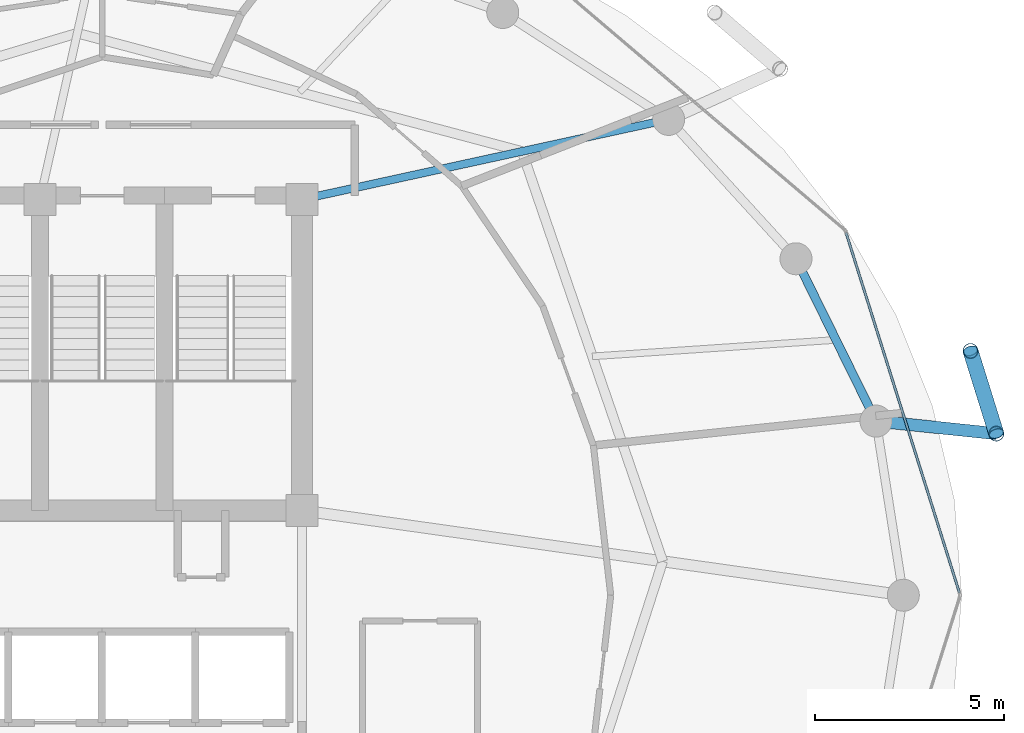
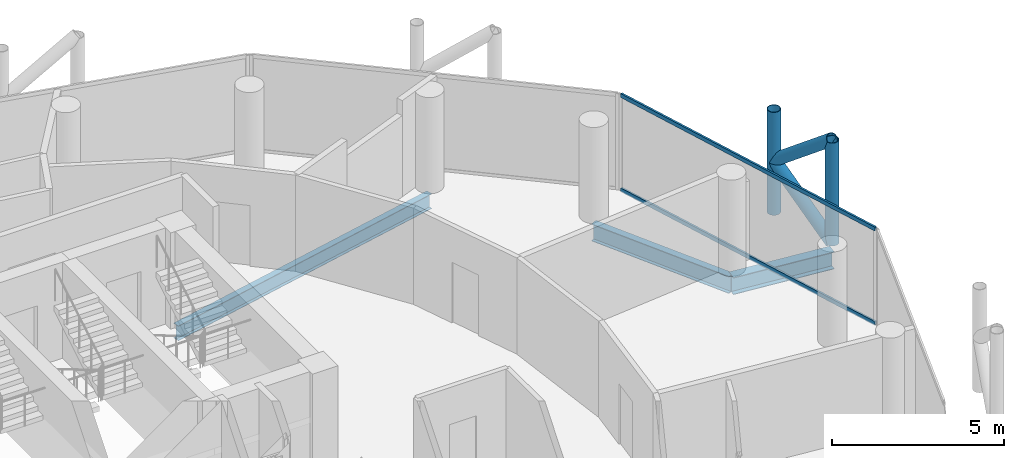
# One storey, part 16 of 27: 6 members, 3 beams, 1 element without a shape of its own.
"""IFC4 building model written with IfcOpenShell, lengths in metres."""

from ifc_helpers import new_model, si_unit, direction, frame, origin, origin_2d, place, context, subcontext, project, spatial, hollow_rectangle, hollow_circle, i_section, extrude, material, layer, layer_set, material_profile, profile_set, type_object, element, aggregate, save


model = new_model("IFC4")

# Units and contexts
model_context = context("Model", 3, precision=1e-05, world=origin(), true_north=direction((0.0, 1.0)))
body_context = subcontext(model_context, "Body", "Model", "MODEL_VIEW")
ifc_project = project(units=[si_unit("LENGTHUNIT", "METRE"), si_unit("AREAUNIT", "SQUARE_METRE"), si_unit("VOLUMEUNIT", "CUBIC_METRE"), si_unit("PLANEANGLEUNIT", "RADIAN"), si_unit("MASSUNIT", "GRAM", prefix="KILO")], contexts=[model_context])

# Site, building, storey
site_placement = place(None, origin())
site = spatial("IfcSite", under=ifc_project, at=site_placement, CompositionType="ELEMENT")
building_placement = place(site_placement, origin())
building = spatial("IfcBuilding", under=site, at=building_placement, Name="Nuhasar Tower", CompositionType="ELEMENT")
storey_placement = place(building_placement, frame((0.0, 0.0, 244.64990234375)))
storey = spatial("IfcBuildingStorey", under=building, at=storey_placement, Name="L60", CompositionType="ELEMENT", Elevation=244.64990234375)

# Beams
ifc_material_1 = material(Name="Steel S355", Category="steel")
ifc_material_profile_1 = material_profile(ifc_material_1, i_section(OverallWidth=0.208984375, OverallDepth=0.528076171875, WebThickness=0.009521484375, FlangeThickness=0.01318359375, at=origin_2d()), Name="W21X55")
ifc_profile_set_1 = profile_set([ifc_material_profile_1], Name="Steel S355")
beam_type_1 = type_object("IfcBeamType", Name="BM-RAD-W21X55", PredefinedType="BEAM", material=ifc_profile_set_1)
beam_1_placement = place(storey_placement, frame((44.300048828125, 37.300048828125, -0.50390625), z_axis=(0.977014275474, 0.213173885644, 0.0), x_axis=(-0.213173885644, 0.977014275474, 0.0)))
element("IfcBeam", 1, at=beam_1_placement, inside=storey, type_object=beam_type_1, Name="L60 Radial Floor Girder 05", PredefinedType="BEAM", context=body_context, shape_type="SweptSolid", body=[
    extrude(i_section(OverallWidth=0.208984375, OverallDepth=0.528076171875, WebThickness=0.009521484375, FlangeThickness=0.01318359375, at=origin_2d()), origin(), (0.0, 0.0, 1.0), 9.95458984375),
])
ifc_material_profile_2 = material_profile(ifc_material_1, i_section(OverallWidth=0.22802734375, OverallDepth=0.60791015625, WebThickness=0.01123046875, FlangeThickness=0.017333984375, at=origin_2d()), Name="W24X76")
ifc_profile_set_2 = profile_set([ifc_material_profile_2], Name="Steel S355")
beam_type_2 = type_object("IfcBeamType", Name="BM-RING-W24X76", PredefinedType="SPANDREL", material=ifc_profile_set_2)
beam_2_placement = place(storey_placement, frame((59.52587890625, 31.419921875, -0.5439453125), z_axis=(-0.442242604409, 0.896895467067, 0.0), x_axis=(-0.896895467067, -0.442242604409, 0.0)))
element("IfcBeam", 2, at=beam_2_placement, inside=storey, type_object=beam_type_2, Name="L60 Perimeter Ring Spandrel 02", PredefinedType="SPANDREL", context=body_context, shape_type="SweptSolid", body=[
    extrude(i_section(OverallWidth=0.22802734375, OverallDepth=0.60791015625, WebThickness=0.01123046875, FlangeThickness=0.017333984375, at=origin_2d()), origin(), (0.0, 0.0, 1.0), 4.800048828125),
])
ifc_material_profile_3 = material_profile(ifc_material_1, i_section(OverallWidth=0.323974609375, OverallDepth=0.611083984375, WebThickness=0.0126953125, FlangeThickness=0.01904296875, at=origin_2d()), Name="W24X104")
ifc_profile_set_3 = profile_set([ifc_material_profile_3], Name="Steel S355")
beam_type_3 = type_object("IfcBeamType", Name="BM-TIE-W24X104", PredefinedType="BEAM", material=ifc_profile_set_3)
beam_3_placement = place(storey_placement, frame((59.52587890625, 31.419921875, -0.544921875), z_axis=(0.994571111079, -0.10405914187, 0.0), x_axis=(0.10405914187, 0.994571111079, 0.0)))
element("IfcBeam", 3, at=beam_3_placement, inside=storey, type_object=beam_type_3, Name="L60 Exoskeleton Node Tie Beam 01", PredefinedType="BEAM", context=body_context, shape_type="SweptSolid", body=[
    extrude(i_section(OverallWidth=0.323974609375, OverallDepth=0.611083984375, WebThickness=0.0126953125, FlangeThickness=0.01904296875, at=origin_2d()), origin(), (0.0, 0.0, 1.0), 3.20947265625),
])

# Curtain wall, members
ifc_material_2 = material(Name="Aluminium 6063-T6", Category="aluminium")
ifc_layer = layer(ifc_material_2, 0.18994140625)
ifc_layer_set = layer_set([ifc_layer], Name="Aluminium 6063-T6")
curtain_wall_type = type_object("IfcCurtainWallType", Name="CW-Z3-RES", PredefinedType="NOTDEFINED", material=ifc_layer_set)
curtain_wall_placement = place(storey_placement, origin())
curtain_wall = element("IfcCurtainWall", 4, at=curtain_wall_placement, inside=storey, type_object=curtain_wall_type, Name="L60 Unitised Curtain Wall 01", PredefinedType="NOTDEFINED")
ifc_material_profile_4 = material_profile(ifc_material_2, hollow_rectangle(XDim=0.06494140625, YDim=0.139892578125, WallThickness=0.00439453125, at=origin_2d()), Name="CWT-4")
ifc_profile_set_4 = profile_set([ifc_material_profile_4], Name="Aluminium 6063-T6")
member_type_1 = type_object("IfcMemberType", Name="CW-TRN-S4", PredefinedType="USERDEFINED", material=ifc_profile_set_4)
member_1_placement = place(storey_placement, frame((61.740478515625, 26.862060546875, 0.03271484375), z_axis=(-0.300437373386, 0.953801543652, 0.0), x_axis=(-0.953801543652, -0.300437373386, 0.0)))
member_1 = element("IfcMember", 5, at=member_1_placement, type_object=member_type_1, Name="CW-Z3 transom 1.1", ObjectType="TRANSOM", PredefinedType="USERDEFINED", context=body_context, shape_type="SweptSolid", body=[
    extrude(hollow_rectangle(XDim=0.06494140625, YDim=0.139892578125, WallThickness=0.00439453125, at=origin_2d()), origin(), (0.0, 0.0, 1.0), 10.018798828125),
])
member_2_placement = place(storey_placement, frame((61.740478515625, 26.862060546875, 3.377685546875), z_axis=(-0.300437373386, 0.953801543652, 0.0), x_axis=(-0.953801543652, -0.300437373386, 0.0)))
member_2 = element("IfcMember", 6, at=member_2_placement, type_object=member_type_1, Name="CW-Z3 transom 1.2", ObjectType="TRANSOM", PredefinedType="USERDEFINED", context=body_context, shape_type="SweptSolid", body=[
    extrude(hollow_rectangle(XDim=0.06494140625, YDim=0.139892578125, WallThickness=0.00439453125, at=origin_2d()), origin(), (0.0, 0.0, 1.0), 10.018798828125),
])
aggregate(curtain_wall, [member_1, member_2])

# Members
ifc_material_3 = material(Name="Steel S460", Category="steel")
ifc_material_profile_5 = material_profile(ifc_material_3, hollow_circle(Radius=0.203125, WallThickness=0.01904296875, at=origin_2d()), Name="HSS406.4X19.1")
ifc_profile_set_5 = profile_set([ifc_material_profile_5], Name="Steel S460")
member_type_2 = type_object("IfcMemberType", Name="EXO-BRONZE-406", PredefinedType="BRACE", material=ifc_profile_set_5)
for number, where, z_axis, x_axis, name in (
    (7, (62.718017578125, 31.0859375, 0.0), (0.0, 0.0, 1.0), (1.0, 0.0, 0.0), "L60 Exoskeleton Chord Column EC-01A"),
    (8, (62.032958984375, 33.281005859375, 0.0), (0.0, 0.0, 1.0), (1.0, 0.0, 0.0), "L60 Exoskeleton Chord Column EC-01B"),
):
    element("IfcMember", number, at=place(storey_placement, frame(where, z_axis=z_axis, x_axis=x_axis)), inside=storey, type_object=member_type_2, Name=name, PredefinedType="BRACE", context=body_context, shape_type="SweptSolid", body=[
        extrude(hollow_circle(Radius=0.203125, WallThickness=0.01904296875, at=origin_2d()), origin(), (0.0, 0.0, 1.0), 3.650146484375),
    ])
member_3_placement = place(storey_placement, frame((62.718017578125, 31.0859375, 0.0), z_axis=(-0.233345847503, 0.747687995332, 0.621701195985), x_axis=(-0.954591372974, -0.297918295247, 0.0)))
element("IfcMember", 9, at=member_3_placement, inside=storey, type_object=member_type_2, Name="L60 Bronze Diagrid Brace W1-01", PredefinedType="BRACE", context=body_context, shape_type="SweptSolid", body=[
    extrude(hollow_circle(Radius=0.203125, WallThickness=0.01904296875, at=origin_2d()), origin(), (0.0, 0.0, 1.0), 2.935791015625),
])
member_4_placement = place(storey_placement, frame((62.032958984375, 33.281005859375, 1.8251953125), z_axis=(0.233357911711, -0.747726651531, 0.621650174641), x_axis=(0.954591372974, 0.297918295247, 0.0)))
element("IfcMember", 10, at=member_4_placement, inside=storey, type_object=member_type_2, Name="L60 Bronze Diagrid Brace W2-01", PredefinedType="BRACE", context=body_context, shape_type="SweptSolid", body=[
    extrude(hollow_circle(Radius=0.203125, WallThickness=0.01904296875, at=origin_2d()), origin(), (0.0, 0.0, 1.0), 2.935546875),
])

save(model, "model.ifc")
